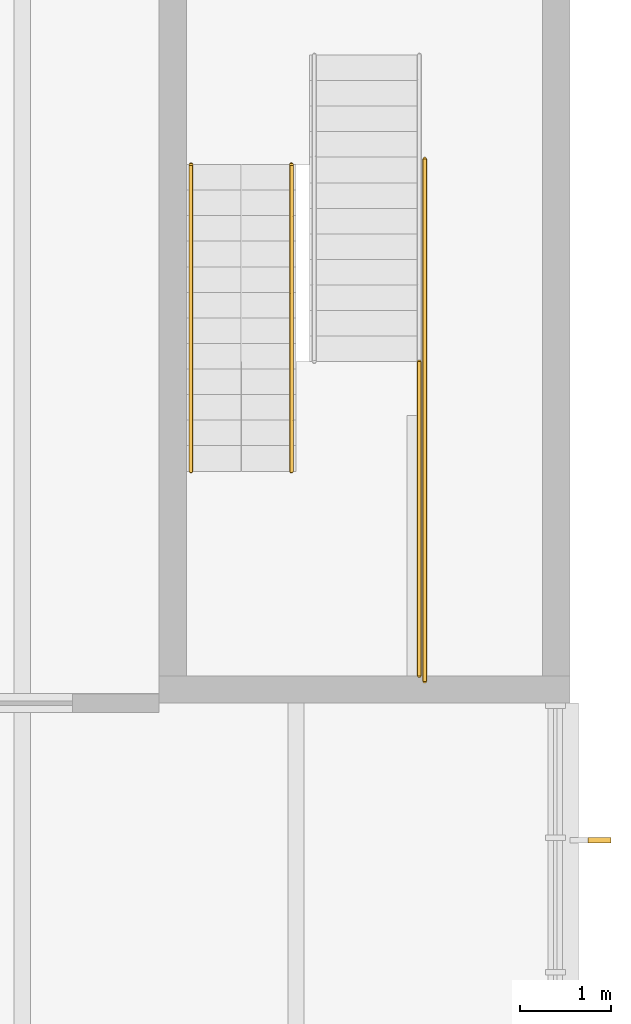
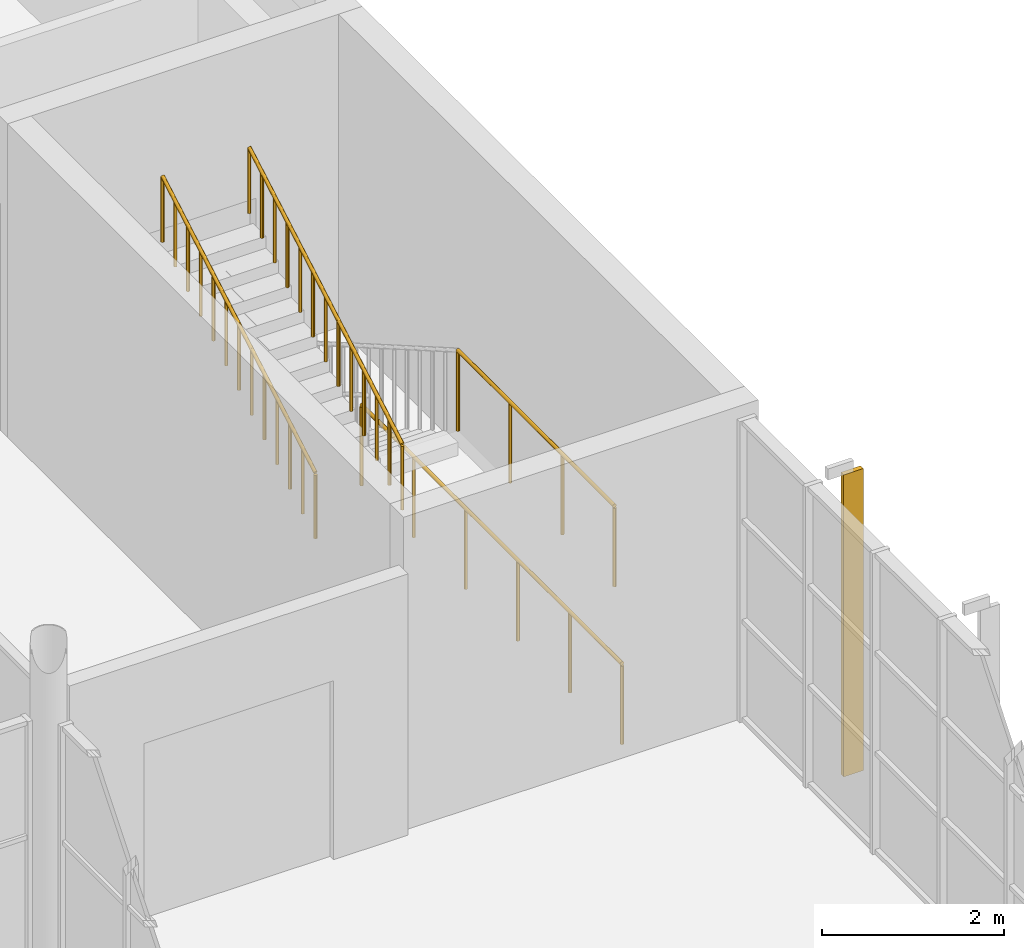
# One storey, part 59 of 61: 4 railings, 1 shading device.
"""IFC4 building model written with IfcOpenShell, lengths in metres."""

from ifc_helpers import new_model, si_unit, direction, frame, origin, origin_2d, place, context, subcontext, project, spatial, rectangle, circle, extrude, material, type_object, element, save


model = new_model("IFC4")

# Units and contexts
model_context = context("Model", 3, precision=1e-05, world=origin(), true_north=direction((0.0, 1.0)))
body_context = subcontext(model_context, "Body", "Model", "MODEL_VIEW")
ifc_project = project(units=[si_unit("LENGTHUNIT", "METRE"), si_unit("AREAUNIT", "SQUARE_METRE"), si_unit("VOLUMEUNIT", "CUBIC_METRE"), si_unit("PLANEANGLEUNIT", "RADIAN"), si_unit("MASSUNIT", "GRAM", prefix="KILO")], contexts=[model_context])

# Site, building, storey
site_placement = place(None, origin())
site = spatial("IfcSite", under=ifc_project, at=site_placement, CompositionType="ELEMENT")
building_placement = place(site_placement, origin())
building = spatial("IfcBuilding", under=site, at=building_placement, Name="Halyard Row Museum", CompositionType="ELEMENT")
storey_placement = place(building_placement, frame((0.0, 0.0, 9.199951171875)))
storey = spatial("IfcBuildingStorey", under=building, at=storey_placement, Name="L02", CompositionType="ELEMENT", Elevation=9.199951171875)

# Railings
ifc_material_1 = material(Name="Steel Grade 300", Category="steel")
railing_type_1 = type_object("IfcRailingType", Name="Guard GR2 steel balustrade 1100", PredefinedType="GUARDRAIL", material=ifc_material_1)
railing_1_placement = place(storey_placement, frame((106.35009765625, 30.739990234375, 2.10009765625)))
element("IfcRailing", 1, at=railing_1_placement, inside=storey, type_object=railing_type_1, Name="Guard GR070", PredefinedType="GUARDRAIL", context=body_context, shape_type="SweptSolid", body=[
    extrude(circle(Radius=0.02392578125, at=origin_2d()), frame((0.0, 0.0, 1.076171875), z_axis=(0.0, -1.0, 0.0), x_axis=(1.0, 0.0, 0.0)), (0.0, 0.0, 1.0), 3.43994140625),
    extrude(circle(Radius=0.02099609375, at=origin_2d()), origin(), (0.0, 0.0, 1.0), 1.052001953125),
    extrude(circle(Radius=0.02099609375, at=origin_2d()), frame((0.0, -1.146728515625, 0.0)), (0.0, 0.0, 1.0), 1.052001953125),
    extrude(circle(Radius=0.02099609375, at=origin_2d()), frame((0.0, -2.293212890625, 0.0)), (0.0, 0.0, 1.0), 1.052001953125),
    extrude(circle(Radius=0.02099609375, at=origin_2d()), frame((0.0, -3.43994140625, 0.0)), (0.0, 0.0, 1.0), 1.052001953125),
])
railing_2_placement = place(storey_placement, frame((106.409912109375, 32.9599609375, 0.0)))
element("IfcRailing", 2, at=railing_2_placement, inside=storey, type_object=railing_type_1, Name="Guard GR167", PredefinedType="GUARDRAIL", context=body_context, shape_type="SweptSolid", body=[
    extrude(circle(Radius=0.02392578125, at=origin_2d()), frame((0.0, 0.0, 1.076171875), z_axis=(0.0, -1.0, 0.0), x_axis=(1.0, 0.0, 0.0)), (0.0, 0.0, 1.0), 5.719970703125),
    extrude(circle(Radius=0.02099609375, at=origin_2d()), origin(), (0.0, 0.0, 1.0), 1.052001953125),
    extrude(circle(Radius=0.02099609375, at=origin_2d()), frame((0.0, -1.14404296875, 0.0)), (0.0, 0.0, 1.0), 1.052001953125),
    extrude(circle(Radius=0.02099609375, at=origin_2d()), frame((0.0, -2.2880859375, 0.0)), (0.0, 0.0, 1.0), 1.052001953125),
    extrude(circle(Radius=0.02099609375, at=origin_2d()), frame((0.0, -3.431884765625, 0.0)), (0.0, 0.0, 1.0), 1.052001953125),
    extrude(circle(Radius=0.02099609375, at=origin_2d()), frame((0.0, -4.575927734375, 0.0)), (0.0, 0.0, 1.0), 1.052001953125),
    extrude(circle(Radius=0.02099609375, at=origin_2d()), frame((0.0, -5.719970703125, 0.0)), (0.0, 0.0, 1.0), 1.052001953125),
])
ifc_material_2 = material(Name="Steel Grade 300", Category="steel")
railing_type_2 = type_object("IfcRailingType", Name="Handrail HR2 steel 900", PredefinedType="HANDRAIL", material=ifc_material_2)
railing_3_placement = place(storey_placement, frame((103.85009765625, 29.5400390625, 2.261474609375)))
element("IfcRailing", 3, at=railing_3_placement, inside=storey, type_object=railing_type_2, Name="Handrail HR101", PredefinedType="HANDRAIL", context=body_context, shape_type="SweptSolid", body=[
    extrude(circle(Radius=0.02392578125, at=origin_2d()), frame((0.0, 0.0, 0.8759765625), z_axis=(0.0, 0.86609757561, 0.499874973892), x_axis=(-1.0, 0.0, 0.0)), (0.0, 0.0, 1.0), 0.3232421875),
    extrude(circle(Radius=0.02392578125, at=origin_2d()), frame((0.0, 0.280029296875, 1.03759765625), z_axis=(0.0, 0.86609757561, 0.499874973892), x_axis=(-1.0, 0.0, 0.0)), (0.0, 0.0, 1.0), 0.3232421875),
    extrude(circle(Radius=0.02392578125, at=origin_2d()), frame((0.0, 0.56005859375, 1.19921875), z_axis=(0.0, 0.866235917577, 0.499635202023), x_axis=(-1.0, 0.0, 0.0)), (0.0, 0.0, 1.0), 0.322998046875),
    extrude(circle(Radius=0.02392578125, at=origin_2d()), frame((0.0, 0.83984375, 1.3603515625), z_axis=(0.0, 0.86609757561, 0.499874973892), x_axis=(-1.0, 0.0, 0.0)), (0.0, 0.0, 1.0), 0.3232421875),
    extrude(circle(Radius=0.02392578125, at=origin_2d()), frame((0.0, 1.119873046875, 1.52197265625), z_axis=(0.0, 0.86609757561, 0.499874973892), x_axis=(-1.0, 0.0, 0.0)), (0.0, 0.0, 1.0), 0.3232421875),
    extrude(circle(Radius=0.02392578125, at=origin_2d()), frame((0.0, 1.39990234375, 1.68359375), z_axis=(0.0, 0.866424426198, 0.49930823515), x_axis=(-1.0, 0.0, 0.0)), (0.0, 0.0, 1.0), 0.3232421875),
    extrude(circle(Radius=0.02392578125, at=origin_2d()), frame((0.0, 1.679931640625, 1.84521484375), z_axis=(0.0, 0.86609757561, 0.499874973892), x_axis=(-1.0, 0.0, 0.0)), (0.0, 0.0, 1.0), 0.3232421875),
    extrude(circle(Radius=0.02392578125, at=origin_2d()), frame((0.0, 1.9599609375, 2.0068359375), z_axis=(0.0, 0.86609757561, 0.499874973892), x_axis=(-1.0, 0.0, 0.0)), (0.0, 0.0, 1.0), 0.3232421875),
    extrude(circle(Radius=0.02392578125, at=origin_2d()), frame((0.0, 2.239990234375, 2.16845703125), z_axis=(0.0, 0.866424426198, 0.49930823515), x_axis=(-1.0, 0.0, 0.0)), (0.0, 0.0, 1.0), 0.3232421875),
    extrude(circle(Radius=0.02392578125, at=origin_2d()), frame((0.0, 2.52001953125, 2.32958984375), z_axis=(0.0, 0.86609757561, 0.499874973892), x_axis=(-1.0, 0.0, 0.0)), (0.0, 0.0, 1.0), 0.3232421875),
    extrude(circle(Radius=0.02392578125, at=origin_2d()), frame((0.0, 2.800048828125, 2.4912109375), z_axis=(0.0, 0.86609757561, 0.499874973892), x_axis=(-1.0, 0.0, 0.0)), (0.0, 0.0, 1.0), 0.3232421875),
    extrude(circle(Radius=0.02392578125, at=origin_2d()), frame((0.0, 3.080078125, 2.65283203125), z_axis=(0.0, 0.866235917577, 0.499635202023), x_axis=(-1.0, 0.0, 0.0)), (0.0, 0.0, 1.0), 0.322998046875),
    extrude(circle(Radius=0.02099609375, at=origin_2d()), origin(), (0.0, 0.0, 1.0), 0.851806640625),
    extrude(circle(Radius=0.02099609375, at=origin_2d()), frame((0.0, 0.280029296875, 0.16162109375)), (0.0, 0.0, 1.0), 0.851806640625),
    extrude(circle(Radius=0.02099609375, at=origin_2d()), frame((0.0, 0.56005859375, 0.3232421875)), (0.0, 0.0, 1.0), 0.851806640625),
    extrude(circle(Radius=0.02099609375, at=origin_2d()), frame((0.0, 0.83984375, 0.484619140625)), (0.0, 0.0, 1.0), 0.851806640625),
    extrude(circle(Radius=0.02099609375, at=origin_2d()), frame((0.0, 1.119873046875, 0.646240234375)), (0.0, 0.0, 1.0), 0.851806640625),
    extrude(circle(Radius=0.02099609375, at=origin_2d()), frame((0.0, 1.39990234375, 0.807861328125)), (0.0, 0.0, 1.0), 0.851806640625),
    extrude(circle(Radius=0.02099609375, at=origin_2d()), frame((0.0, 1.679931640625, 0.96923828125)), (0.0, 0.0, 1.0), 0.851806640625),
    extrude(circle(Radius=0.02099609375, at=origin_2d()), frame((0.0, 1.9599609375, 1.130859375)), (0.0, 0.0, 1.0), 0.851806640625),
    extrude(circle(Radius=0.02099609375, at=origin_2d()), frame((0.0, 2.239990234375, 1.29248046875)), (0.0, 0.0, 1.0), 0.851806640625),
    extrude(circle(Radius=0.02099609375, at=origin_2d()), frame((0.0, 2.52001953125, 1.453857421875)), (0.0, 0.0, 1.0), 0.851806640625),
    extrude(circle(Radius=0.02099609375, at=origin_2d()), frame((0.0, 2.800048828125, 1.615478515625)), (0.0, 0.0, 1.0), 0.851806640625),
    extrude(circle(Radius=0.02099609375, at=origin_2d()), frame((0.0, 3.080078125, 1.777099609375)), (0.0, 0.0, 1.0), 0.851806640625),
    extrude(circle(Radius=0.02099609375, at=origin_2d()), frame((0.0, 3.35986328125, 1.9384765625)), (0.0, 0.0, 1.0), 0.851806640625),
])
railing_4_placement = place(storey_placement, frame((104.949951171875, 29.5400390625, 2.261474609375)))
element("IfcRailing", 4, at=railing_4_placement, inside=storey, type_object=railing_type_2, Name="Handrail HR102", PredefinedType="HANDRAIL", context=body_context, shape_type="SweptSolid", body=[
    extrude(circle(Radius=0.02392578125, at=origin_2d()), frame((0.0, 0.0, 0.8759765625), z_axis=(0.0, 0.86609757561, 0.499874973892), x_axis=(-1.0, 0.0, 0.0)), (0.0, 0.0, 1.0), 0.3232421875),
    extrude(circle(Radius=0.02392578125, at=origin_2d()), frame((0.0, 0.280029296875, 1.03759765625), z_axis=(0.0, 0.86609757561, 0.499874973892), x_axis=(-1.0, 0.0, 0.0)), (0.0, 0.0, 1.0), 0.3232421875),
    extrude(circle(Radius=0.02392578125, at=origin_2d()), frame((0.0, 0.56005859375, 1.19921875), z_axis=(0.0, 0.866235917577, 0.499635202023), x_axis=(-1.0, 0.0, 0.0)), (0.0, 0.0, 1.0), 0.322998046875),
    extrude(circle(Radius=0.02392578125, at=origin_2d()), frame((0.0, 0.83984375, 1.3603515625), z_axis=(0.0, 0.86609757561, 0.499874973892), x_axis=(-1.0, 0.0, 0.0)), (0.0, 0.0, 1.0), 0.3232421875),
    extrude(circle(Radius=0.02392578125, at=origin_2d()), frame((0.0, 1.119873046875, 1.52197265625), z_axis=(0.0, 0.86609757561, 0.499874973892), x_axis=(-1.0, 0.0, 0.0)), (0.0, 0.0, 1.0), 0.3232421875),
    extrude(circle(Radius=0.02392578125, at=origin_2d()), frame((0.0, 1.39990234375, 1.68359375), z_axis=(0.0, 0.866424426198, 0.49930823515), x_axis=(-1.0, 0.0, 0.0)), (0.0, 0.0, 1.0), 0.3232421875),
    extrude(circle(Radius=0.02392578125, at=origin_2d()), frame((0.0, 1.679931640625, 1.84521484375), z_axis=(0.0, 0.86609757561, 0.499874973892), x_axis=(-1.0, 0.0, 0.0)), (0.0, 0.0, 1.0), 0.3232421875),
    extrude(circle(Radius=0.02392578125, at=origin_2d()), frame((0.0, 1.9599609375, 2.0068359375), z_axis=(0.0, 0.86609757561, 0.499874973892), x_axis=(-1.0, 0.0, 0.0)), (0.0, 0.0, 1.0), 0.3232421875),
    extrude(circle(Radius=0.02392578125, at=origin_2d()), frame((0.0, 2.239990234375, 2.16845703125), z_axis=(0.0, 0.866424426198, 0.49930823515), x_axis=(-1.0, 0.0, 0.0)), (0.0, 0.0, 1.0), 0.3232421875),
    extrude(circle(Radius=0.02392578125, at=origin_2d()), frame((0.0, 2.52001953125, 2.32958984375), z_axis=(0.0, 0.86609757561, 0.499874973892), x_axis=(-1.0, 0.0, 0.0)), (0.0, 0.0, 1.0), 0.3232421875),
    extrude(circle(Radius=0.02392578125, at=origin_2d()), frame((0.0, 2.800048828125, 2.4912109375), z_axis=(0.0, 0.86609757561, 0.499874973892), x_axis=(-1.0, 0.0, 0.0)), (0.0, 0.0, 1.0), 0.3232421875),
    extrude(circle(Radius=0.02392578125, at=origin_2d()), frame((0.0, 3.080078125, 2.65283203125), z_axis=(0.0, 0.866235917577, 0.499635202023), x_axis=(-1.0, 0.0, 0.0)), (0.0, 0.0, 1.0), 0.322998046875),
    extrude(circle(Radius=0.02099609375, at=origin_2d()), origin(), (0.0, 0.0, 1.0), 0.851806640625),
    extrude(circle(Radius=0.02099609375, at=origin_2d()), frame((0.0, 0.280029296875, 0.16162109375)), (0.0, 0.0, 1.0), 0.851806640625),
    extrude(circle(Radius=0.02099609375, at=origin_2d()), frame((0.0, 0.56005859375, 0.3232421875)), (0.0, 0.0, 1.0), 0.851806640625),
    extrude(circle(Radius=0.02099609375, at=origin_2d()), frame((0.0, 0.83984375, 0.484619140625)), (0.0, 0.0, 1.0), 0.851806640625),
    extrude(circle(Radius=0.02099609375, at=origin_2d()), frame((0.0, 1.119873046875, 0.646240234375)), (0.0, 0.0, 1.0), 0.851806640625),
    extrude(circle(Radius=0.02099609375, at=origin_2d()), frame((0.0, 1.39990234375, 0.807861328125)), (0.0, 0.0, 1.0), 0.851806640625),
    extrude(circle(Radius=0.02099609375, at=origin_2d()), frame((0.0, 1.679931640625, 0.96923828125)), (0.0, 0.0, 1.0), 0.851806640625),
    extrude(circle(Radius=0.02099609375, at=origin_2d()), frame((0.0, 1.9599609375, 1.130859375)), (0.0, 0.0, 1.0), 0.851806640625),
    extrude(circle(Radius=0.02099609375, at=origin_2d()), frame((0.0, 2.239990234375, 1.29248046875)), (0.0, 0.0, 1.0), 0.851806640625),
    extrude(circle(Radius=0.02099609375, at=origin_2d()), frame((0.0, 2.52001953125, 1.453857421875)), (0.0, 0.0, 1.0), 0.851806640625),
    extrude(circle(Radius=0.02099609375, at=origin_2d()), frame((0.0, 2.800048828125, 1.615478515625)), (0.0, 0.0, 1.0), 0.851806640625),
    extrude(circle(Radius=0.02099609375, at=origin_2d()), frame((0.0, 3.080078125, 1.777099609375)), (0.0, 0.0, 1.0), 0.851806640625),
    extrude(circle(Radius=0.02099609375, at=origin_2d()), frame((0.0, 3.35986328125, 1.9384765625)), (0.0, 0.0, 1.0), 0.851806640625),
])

# Shading device
ifc_material_3 = material(Name="Glue-laminated timber GL12, oiled", Category="wood")
shading_device_type = type_object("IfcShadingDeviceType", Name="Timber fin 60 x 250", PredefinedType="USERDEFINED", material=ifc_material_3)
shading_device_placement = place(storey_placement, frame((108.324951171875, 25.5, 0.0), z_axis=(0.0, 0.0, 1.0), x_axis=(1.0, 0.0, 0.0)))
element("IfcShadingDevice", 5, at=shading_device_placement, inside=storey, type_object=shading_device_type, Name="Timber fin", ObjectType="FIN", PredefinedType="USERDEFINED", context=body_context, shape_type="SweptSolid", body=[
    extrude(rectangle(XDim=0.25, YDim=0.06005859375, at=origin_2d()), origin(), (0.0, 0.0, 1.0), 4.050048828125),
])

save(model, "model.ifc")
